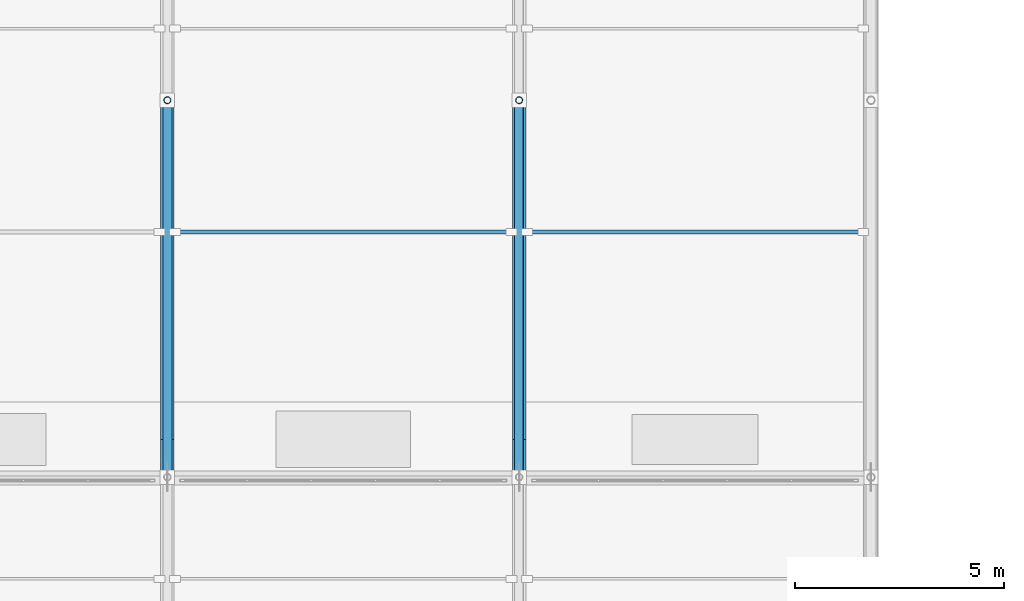
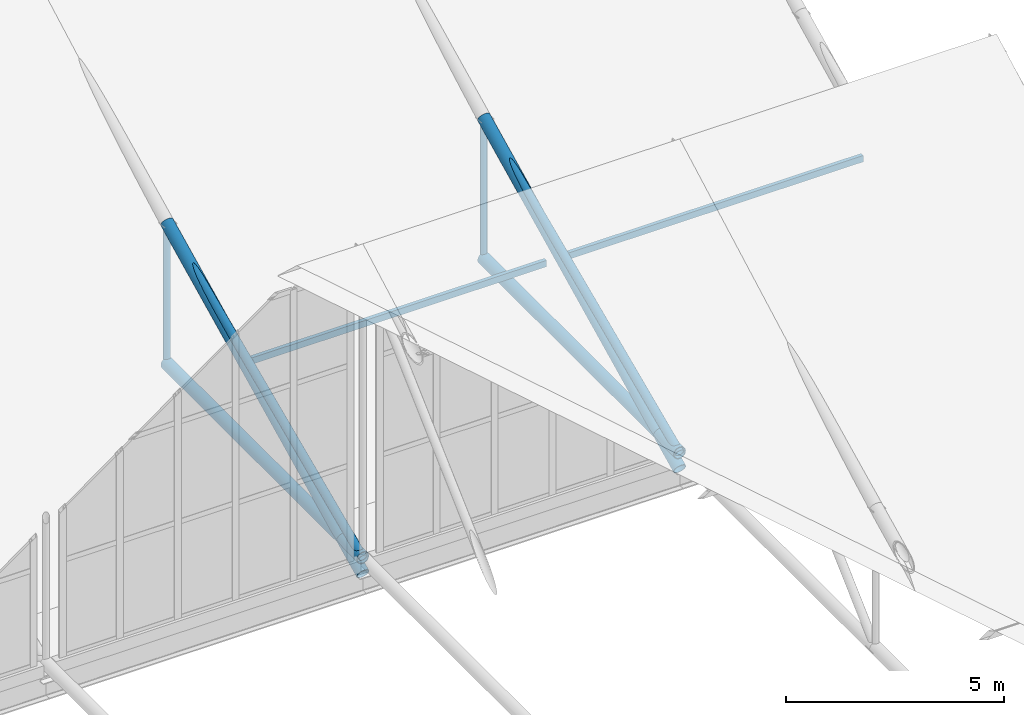
# One storey, part 17 of 38: 10 members.
"""IFC4 building model written with IfcOpenShell, lengths in metres."""

from ifc_helpers import new_model, si_unit, direction, frame, origin, origin_2d, place, context, subcontext, project, spatial, hollow_rectangle, hollow_circle, extrude, material, material_profile, profile_set, type_object, element, save


model = new_model("IFC4")

# Units and contexts
model_context = context("Model", 3, precision=1e-05, world=origin(), true_north=direction((0.0, 1.0)))
body_context = subcontext(model_context, "Body", "Model", "MODEL_VIEW")
ifc_project = project(units=[si_unit("LENGTHUNIT", "METRE"), si_unit("AREAUNIT", "SQUARE_METRE"), si_unit("VOLUMEUNIT", "CUBIC_METRE"), si_unit("PLANEANGLEUNIT", "RADIAN"), si_unit("MASSUNIT", "GRAM", prefix="KILO")], contexts=[model_context])

# Site, building, storey
site_placement = place(None, origin())
site = spatial("IfcSite", under=ifc_project, at=site_placement, CompositionType="ELEMENT")
building_placement = place(site_placement, origin())
building = spatial("IfcBuilding", under=site, at=building_placement, Name="Veltarok Museum of Natural Sciences", CompositionType="ELEMENT")
storey_placement = place(building_placement, frame((0.0, 0.0, 31.199951171875)))
storey = spatial("IfcBuildingStorey", under=building, at=storey_placement, Name="RF", CompositionType="ELEMENT", Elevation=31.199951171875)

# Members
ifc_material_1 = material(Name="Steel S355J2", Category="steel")
ifc_material_profile_1 = material_profile(ifc_material_1, hollow_rectangle(XDim=0.10009765625, YDim=0.179931640625, WallThickness=0.008056640625, at=origin_2d()), Name="RHS 180x100x8")
ifc_profile_set_1 = profile_set([ifc_material_profile_1], Name="Steel S355J2")
member_type_1 = type_object("IfcMemberType", Name="Heavy Valley Roof Purlin RHS 180x100x8", PredefinedType="PURLIN", material=ifc_profile_set_1)
for number, where, z_axis, x_axis, name in (
    (1, (82.179931640625, 59.85009765625, -3.950439453125), (1.0, 0.0, 0.0), (0.0, 1.0, 0.0), "Sawtooth Purlin 10-11 M2"),
    (2, (90.580078125, 59.85009765625, -3.950439453125), (1.0, 0.0, 0.0), (0.0, 1.0, 0.0), "Sawtooth Purlin 11-12 M2"),
):
    element("IfcMember", number, at=place(storey_placement, frame(where, z_axis=z_axis, x_axis=x_axis)), inside=storey, type_object=member_type_1, Name=name, PredefinedType="PURLIN", context=body_context, shape_type="SweptSolid", body=[
        extrude(hollow_rectangle(XDim=0.10009765625, YDim=0.179931640625, WallThickness=0.008056640625, at=origin_2d()), origin(), (0.0, 0.0, 1.0), 8.0400390625),
    ])
ifc_material_2 = material(Name="Oxide-red painted Steel S355J2", Category="steel")
ifc_material_profile_2 = material_profile(ifc_material_2, hollow_circle(Radius=0.161865234375, WallThickness=0.01611328125, at=origin_2d()), Name="CHS 323.9x16")
ifc_profile_set_2 = profile_set([ifc_material_profile_2], Name="Oxide-red painted Steel S355J2")
member_type_2 = type_object("IfcMemberType", Name="Sawtooth Truss Chord CHS 323.9x16", PredefinedType="CHORD", material=ifc_profile_set_2)
member_1_placement = place(storey_placement, frame((82.0, 54.0, -5.800048828125), z_axis=(0.0, 1.0, 0.0), x_axis=(-1.0, 0.0, 0.0)))
element("IfcMember", 3, at=member_1_placement, inside=storey, type_object=member_type_2, Name="Roof Truss Bottom Chord 10 M2", PredefinedType="CHORD", context=body_context, shape_type="SweptSolid", body=[
    extrude(hollow_circle(Radius=0.161865234375, WallThickness=0.01611328125, at=origin_2d()), origin(), (0.0, 0.0, 1.0), 9.0),
])
member_2_placement = place(storey_placement, frame((82.0, 54.0, -6.25), z_axis=(0.0, 0.898378591281, 0.43922193334), x_axis=(-1.0, 0.0, 0.0)))
element("IfcMember", 4, at=member_2_placement, inside=storey, type_object=member_type_2, Name="Roof Truss Top Chord 10 M2", PredefinedType="CHORD", context=body_context, shape_type="SweptSolid", body=[
    extrude(hollow_circle(Radius=0.161865234375, WallThickness=0.01611328125, at=origin_2d()), origin(), (0.0, 0.0, 1.0), 10.01806640625),
])
member_3_placement = place(storey_placement, frame((90.39990234375, 54.0, -5.800048828125), z_axis=(0.0, 1.0, 0.0), x_axis=(-1.0, 0.0, 0.0)))
element("IfcMember", 5, at=member_3_placement, inside=storey, type_object=member_type_2, Name="Roof Truss Bottom Chord 11 M2", PredefinedType="CHORD", context=body_context, shape_type="SweptSolid", body=[
    extrude(hollow_circle(Radius=0.161865234375, WallThickness=0.01611328125, at=origin_2d()), origin(), (0.0, 0.0, 1.0), 9.0),
])
member_4_placement = place(storey_placement, frame((90.39990234375, 54.0, -6.25), z_axis=(0.0, 0.898378591281, 0.43922193334), x_axis=(-1.0, 0.0, 0.0)))
element("IfcMember", 6, at=member_4_placement, inside=storey, type_object=member_type_2, Name="Roof Truss Top Chord 11 M2", PredefinedType="CHORD", context=body_context, shape_type="SweptSolid", body=[
    extrude(hollow_circle(Radius=0.161865234375, WallThickness=0.01611328125, at=origin_2d()), origin(), (0.0, 0.0, 1.0), 10.01806640625),
])
ifc_material_profile_3 = material_profile(ifc_material_2, hollow_circle(Radius=0.084228515625, WallThickness=0.008056640625, at=origin_2d()), Name="CHS 168.3x8")
ifc_profile_set_3 = profile_set([ifc_material_profile_3], Name="Oxide-red painted Steel S355J2")
member_type_3 = type_object("IfcMemberType", Name="Sawtooth Truss Vertical Strut CHS 168.3x8", PredefinedType="STRUT", material=ifc_profile_set_3)
for number, where, z_axis, x_axis, name in (
    (7, (82.0, 63.0, -5.800048828125), (0.0, 0.0, 1.0), (1.0, 0.0, 0.0), "Roof Truss Strut 10 M2"),
    (8, (90.39990234375, 63.0, -5.800048828125), (0.0, 0.0, 1.0), (1.0, 0.0, 0.0), "Roof Truss Strut 11 M2"),
):
    element("IfcMember", number, at=place(storey_placement, frame(where, z_axis=z_axis, x_axis=x_axis)), inside=storey, type_object=member_type_3, Name=name, PredefinedType="STRUT", context=body_context, shape_type="SweptSolid", body=[
        extrude(hollow_circle(Radius=0.084228515625, WallThickness=0.008056640625, at=origin_2d()), origin(), (0.0, 0.0, 1.0), 3.9501953125),
    ])
ifc_material_profile_4 = material_profile(ifc_material_2, hollow_circle(Radius=0.109619140625, WallThickness=0.010009765625, at=origin_2d()), Name="CHS 219.1x10")
ifc_profile_set_4 = profile_set([ifc_material_profile_4], Name="Oxide-red painted Steel S355J2")
member_type_4 = type_object("IfcMemberType", Name="Sawtooth Truss Web Diagonal CHS 219.1x10", PredefinedType="BRACE", material=ifc_profile_set_4)
for number, where, z_axis, x_axis, name in (
    (9, (82.0, 54.0, -5.800048828125), (0.0, 0.915682381641, 0.401902694633), (-1.0, 0.0, 0.0), "Roof Truss Diagonal 10 M2"),
    (10, (90.39990234375, 54.0, -5.800048828125), (0.0, 0.915682381641, 0.401902694633), (-1.0, 0.0, 0.0), "Roof Truss Diagonal 11 M2"),
):
    element("IfcMember", number, at=place(storey_placement, frame(where, z_axis=z_axis, x_axis=x_axis)), inside=storey, type_object=member_type_4, Name=name, PredefinedType="BRACE", context=body_context, shape_type="SweptSolid", body=[
        extrude(hollow_circle(Radius=0.109619140625, WallThickness=0.010009765625, at=origin_2d()), origin(), (0.0, 0.0, 1.0), 9.828857421875),
    ])

save(model, "model.ifc")
